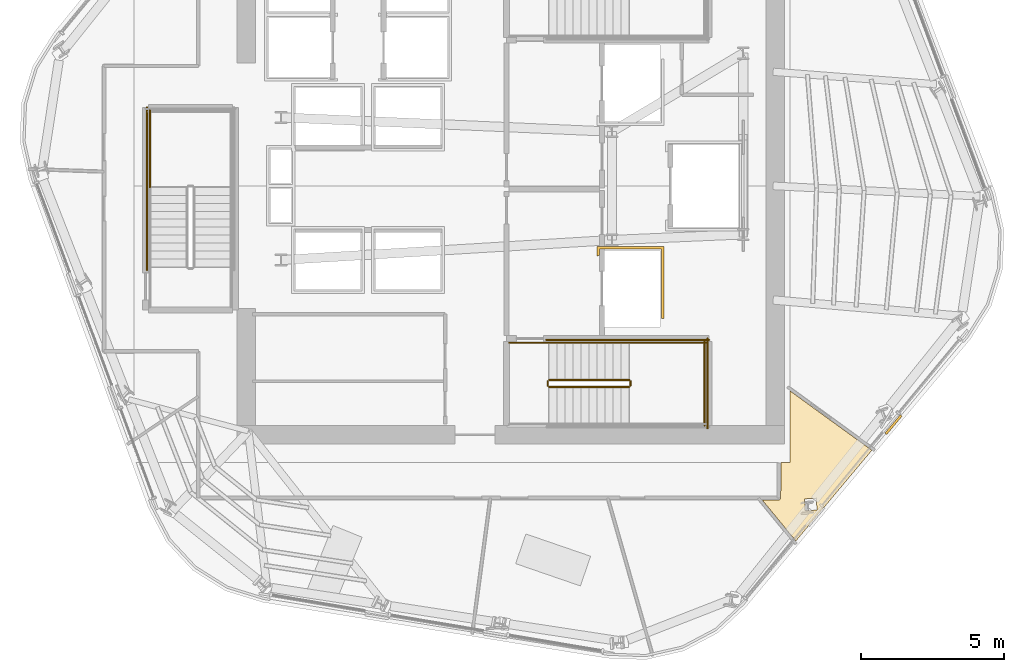
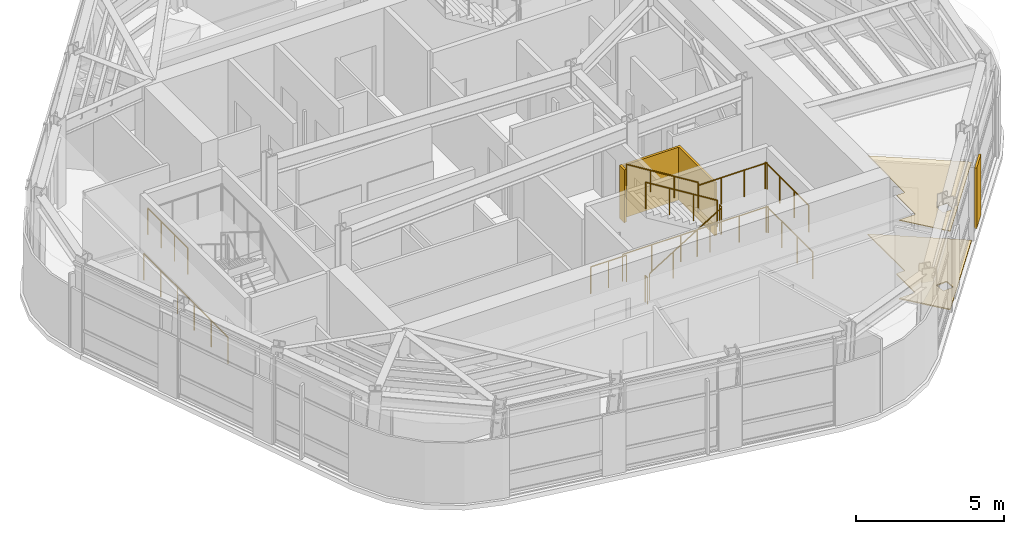
# One storey, part 9 of 12: 12 railings, 4 coverings.
"""IFC4 building model written with IfcOpenShell, lengths in metres."""

from ifc_helpers import new_model, si_unit, direction, frame, origin, origin_2d, place, context, subcontext, project, spatial, polyline, circle, outline, extrude, material, layer, layer_set, type_object, element, save


model = new_model("IFC4")

# Units and contexts
model_context = context("Model", 3, precision=1e-05, world=origin(), true_north=direction((0.0, 1.0)))
body_context = subcontext(model_context, "Body", "Model", "MODEL_VIEW")
ifc_project = project(units=[si_unit("LENGTHUNIT", "METRE"), si_unit("AREAUNIT", "SQUARE_METRE"), si_unit("VOLUMEUNIT", "CUBIC_METRE"), si_unit("PLANEANGLEUNIT", "RADIAN"), si_unit("MASSUNIT", "GRAM", prefix="KILO")], contexts=[model_context])

# Site, building, storey
site_placement = place(None, origin())
site = spatial("IfcSite", under=ifc_project, at=site_placement, CompositionType="ELEMENT")
building_placement = place(site_placement, origin())
building = spatial("IfcBuilding", under=site, at=building_placement, Name="Valkerne Bourse Tower", CompositionType="ELEMENT")
storey_placement = place(building_placement, frame((0.0, 0.0, 239.800048828125)))
storey = spatial("IfcBuildingStorey", under=building, at=storey_placement, Name="L61", CompositionType="ELEMENT", Elevation=239.800048828125)

# Coverings
ifc_material_1 = material(Name="Mineral Fiber Acoustic Ceiling Tile", Category="acoustic")
ifc_layer_1 = layer(ifc_material_1, 0.02490234375)
ifc_layer_set_1 = layer_set([ifc_layer_1], Name="Mineral Fiber Acoustic Ceiling Tile")
covering_type_1 = type_object("IfcCoveringType", Name="COV-CEIL-ACT", PredefinedType="CEILING", material=ifc_layer_set_1)
covering_1_placement = place(storey_placement, frame((0.0, 0.0, 3.25)))
element("IfcCovering", 1, at=covering_1_placement, inside=storey, type_object=covering_type_1, Name="L61 Suspended Ceiling 11", PredefinedType="CEILING", context=body_context, shape_type="SweptSolid", body=[
    extrude(outline(polyline([(56.20458984375, 15.9912109375), (56.24609375, 16.00830078125), (56.26708984375, 16.043701171875), (56.268798828125, 17.300048828125), (56.60009765625, 17.300048828125), (56.60009765625, 19.806884765625), (59.459716796875, 17.729248046875), (56.796875, 14.552978515625), (55.61572265625, 15.990966796875), (56.20458984375, 15.9912109375)]), holes=[polyline([(57.53857421875, 15.636474609375), (57.513916015625, 16.0498046875), (57.103271484375, 16.026123046875), (57.101806640625, 16.024658203125), (57.126220703125, 15.611328125), (57.537109375, 15.635009765625), (57.53857421875, 15.636474609375)])]), origin(), (0.0, 0.0, 1.0), 0.02490234375),
])
ifc_material_2 = material(Name="Bronze Anodised Aluminium AA 6063-T6", Category="aluminium")
ifc_layer_2 = layer(ifc_material_2, 0.06005859375)
ifc_layer_set_2 = layer_set([ifc_layer_2], Name="Bronze Anodised Aluminium AA 6063-T6")
covering_type_2 = type_object("IfcCoveringType", Name="COV-CRN-ALUM", PredefinedType="CLADDING", material=ifc_layer_set_2)
covering_2_placement = place(storey_placement, origin())
element("IfcCovering", 2, at=covering_2_placement, inside=storey, type_object=covering_type_2, Name="L61 Wind-Shaped Corner Aluminium Cladding 02", PredefinedType="CLADDING", context=body_context, shape_type="SweptSolid", body=[
    extrude(outline(polyline([(59.981689453125, 18.283203125), (59.920166015625, 18.334228515625), (60.4599609375, 18.977783203125), (60.521484375, 18.927001953125), (59.981689453125, 18.283203125)])), origin(), (0.0, 0.0, 1.0), 2.5),
])
ifc_material_3 = material(Name="Galvanised Painted Steel", Category="steel")
ifc_layer_3 = layer(ifc_material_3, 0.044921875)
ifc_layer_set_3 = layer_set([ifc_layer_3], Name="Galvanised Painted Steel")
covering_type_3 = type_object("IfcCoveringType", Name="COV-FLR-RAF", PredefinedType="FLOORING", material=ifc_layer_set_3)
covering_3_placement = place(storey_placement, origin())
element("IfcCovering", 3, at=covering_3_placement, inside=storey, type_object=covering_type_3, Name="L61 Floor Finish 11", PredefinedType="FLOORING", context=body_context, shape_type="SweptSolid", body=[
    extrude(outline(polyline([(56.20458984375, 15.9912109375), (56.24609375, 16.00830078125), (56.26708984375, 16.043701171875), (56.268798828125, 17.300048828125), (56.60009765625, 17.300048828125), (56.60009765625, 19.806884765625), (59.459716796875, 17.729248046875), (56.796875, 14.552978515625), (55.61572265625, 15.990966796875), (56.20458984375, 15.9912109375)]), holes=[polyline([(57.53857421875, 15.636474609375), (57.513916015625, 16.0498046875), (57.103271484375, 16.026123046875), (57.101806640625, 16.024658203125), (57.126220703125, 15.611328125), (57.537109375, 15.635009765625), (57.53857421875, 15.636474609375)])]), origin(), (0.0, 0.0, 1.0), 0.044921875),
])
ifc_material_4 = material(Name="Gypsum Shaftwall Liner Board", Category="gypsum")
ifc_layer_4 = layer(ifc_material_4, 0.080078125)
ifc_layer_set_4 = layer_set([ifc_layer_4], Name="Gypsum Shaftwall Liner Board")
covering_type_4 = type_object("IfcCoveringType", Name="COV-SHF-CLAD", PredefinedType="CLADDING", material=ifc_layer_set_4)
covering_4_placement = place(storey_placement, origin())
element("IfcCovering", 4, at=covering_4_placement, inside=storey, type_object=covering_type_4, Name="L61 Hoistway & Riser Shaftwall Liner 05", PredefinedType="CLADDING", context=body_context, shape_type="SweptSolid", body=[
    extrude(outline(polyline([(52.179931640625, 22.35009765625), (52.090087890625, 22.35009765625), (52.090087890625, 24.7900390625), (49.909912109375, 24.7900390625), (49.909912109375, 24.560791015625), (49.869384765625, 24.550537109375), (49.827880859375, 24.53564453125), (49.820068359375, 24.531982421875), (49.820068359375, 24.8798828125), (52.179931640625, 24.8798828125), (52.179931640625, 22.35009765625)])), origin(), (0.0, 0.0, 1.0), 2.179931640625),
])

# Railings
railing_type_1 = type_object("IfcRailingType", Name="RLG-ST-GUARD-1120", PredefinedType="GUARDRAIL", material=ifc_material_3)
railing_1_placement = place(storey_placement, frame((48.14990234375, 19.949951171875, 0.172607421875)))
element("IfcRailing", 5, at=railing_1_placement, inside=storey, type_object=railing_type_1, Name="L61 ST-1 stair guard 1", PredefinedType="GUARDRAIL", context=body_context, shape_type="SweptSolid", body=[
    extrude(circle(Radius=0.02392578125, at=origin_2d()), frame((0.0, 0.0, 1.09619140625), z_axis=(0.851089632645, 0.0, 0.525020415988), x_axis=(0.0, 1.0, 0.0)), (0.0, 0.0, 1.0), 3.2900390625),
    extrude(circle(Radius=0.02099609375, at=origin_2d()), origin(), (0.0, 0.0, 1.0), 1.072021484375),
    extrude(circle(Radius=0.02099609375, at=origin_2d()), frame((0.933349609375, 0.0, 0.57568359375)), (0.0, 0.0, 1.0), 1.072021484375),
    extrude(circle(Radius=0.02099609375, at=origin_2d()), frame((1.86669921875, 0.0, 1.151611328125)), (0.0, 0.0, 1.0), 1.072021484375),
    extrude(circle(Radius=0.02099609375, at=origin_2d()), frame((2.800048828125, 0.0, 1.727294921875)), (0.0, 0.0, 1.0), 1.072021484375),
])
railing_2_placement = place(storey_placement, frame((51.0, 20.0, 1.89990234375)))
element("IfcRailing", 6, at=railing_2_placement, inside=storey, type_object=railing_type_1, Name="L61 ST-1 stair guard 2", PredefinedType="GUARDRAIL", context=body_context, shape_type="SweptSolid", body=[
    extrude(circle(Radius=0.02392578125, at=origin_2d()), frame((0.0, 0.0, 1.09619140625), z_axis=(0.0, 1.0, 0.0), x_axis=(-1.0, 0.0, 0.0)), (0.0, 0.0, 1.0), 0.14990234375),
    extrude(circle(Radius=0.02099609375, at=origin_2d()), origin(), (0.0, 0.0, 1.0), 1.072021484375),
    extrude(circle(Radius=0.02099609375, at=origin_2d()), frame((0.0, 0.14990234375, 0.0)), (0.0, 0.0, 1.0), 1.072021484375),
])
railing_3_placement = place(storey_placement, frame((50.949951171875, 21.5, 1.89990234375)))
element("IfcRailing", 7, at=railing_3_placement, inside=storey, type_object=railing_type_1, Name="L61 ST-1 stair guard 4", PredefinedType="GUARDRAIL", context=body_context, shape_type="SweptSolid", body=[
    extrude(circle(Radius=0.02392578125, at=origin_2d()), frame((0.0, 0.0, 1.09619140625), z_axis=(1.0, 0.0, 0.0), x_axis=(0.0, 1.0, 0.0)), (0.0, 0.0, 1.0), 2.699951171875),
    extrude(circle(Radius=0.02099609375, at=origin_2d()), origin(), (0.0, 0.0, 1.0), 1.072021484375),
    extrude(circle(Radius=0.02099609375, at=origin_2d()), frame((0.89990234375, 0.0, 0.0)), (0.0, 0.0, 1.0), 1.072021484375),
    extrude(circle(Radius=0.02099609375, at=origin_2d()), frame((1.800048828125, 0.0, 0.0)), (0.0, 0.0, 1.0), 1.072021484375),
    extrude(circle(Radius=0.02099609375, at=origin_2d()), frame((2.699951171875, 0.0, 0.0)), (0.0, 0.0, 1.0), 1.072021484375),
])
railing_4_placement = place(storey_placement, frame((53.60009765625, 18.60009765625, 1.89990234375)))
element("IfcRailing", 8, at=railing_4_placement, inside=storey, type_object=railing_type_1, Name="L61 ST-1 stair guard 5", PredefinedType="GUARDRAIL", context=body_context, shape_type="SweptSolid", body=[
    extrude(circle(Radius=0.02392578125, at=origin_2d()), frame((0.0, 0.0, 1.09619140625), z_axis=(0.0, 1.0, 0.0), x_axis=(-1.0, 0.0, 0.0)), (0.0, 0.0, 1.0), 2.949951171875),
    extrude(circle(Radius=0.02099609375, at=origin_2d()), origin(), (0.0, 0.0, 1.0), 1.072021484375),
    extrude(circle(Radius=0.02099609375, at=origin_2d()), frame((0.0, 0.9833984375, 0.0)), (0.0, 0.0, 1.0), 1.072021484375),
    extrude(circle(Radius=0.02099609375, at=origin_2d()), frame((0.0, 1.966552734375, 0.0)), (0.0, 0.0, 1.0), 1.072021484375),
    extrude(circle(Radius=0.02099609375, at=origin_2d()), frame((0.0, 2.949951171875, 0.0)), (0.0, 0.0, 1.0), 1.072021484375),
])
railing_5_placement = place(storey_placement, frame((50.949951171875, 20.199951171875, 2.07275390625)))
element("IfcRailing", 9, at=railing_5_placement, inside=storey, type_object=railing_type_1, Name="L61 ST-1 stair guard 6", PredefinedType="GUARDRAIL", context=body_context, shape_type="SweptSolid", body=[
    extrude(circle(Radius=0.02392578125, at=origin_2d()), frame((0.0, 0.0, 1.09619140625), z_axis=(-0.851089632645, 0.0, 0.525020415988), x_axis=(0.0, -1.0, 0.0)), (0.0, 0.0, 1.0), 3.2900390625),
    extrude(circle(Radius=0.02099609375, at=origin_2d()), origin(), (0.0, 0.0, 1.0), 1.072021484375),
    extrude(circle(Radius=0.02099609375, at=origin_2d()), frame((-0.933349609375, 0.0, 0.57568359375)), (0.0, 0.0, 1.0), 1.072021484375),
    extrude(circle(Radius=0.02099609375, at=origin_2d()), frame((-1.86669921875, 0.0, 1.151611328125)), (0.0, 0.0, 1.0), 1.072021484375),
    extrude(circle(Radius=0.02099609375, at=origin_2d()), frame((-2.800048828125, 0.0, 1.727294921875)), (0.0, 0.0, 1.0), 1.072021484375),
])
railing_6_placement = place(storey_placement, frame((48.10009765625, 20.0, 0.0)))
element("IfcRailing", 10, at=railing_6_placement, inside=storey, type_object=railing_type_1, Name="L61 ST-1 stair guard 7", PredefinedType="GUARDRAIL", context=body_context, shape_type="SweptSolid", body=[
    extrude(circle(Radius=0.02392578125, at=origin_2d()), frame((0.0, 0.0, 1.09619140625), z_axis=(0.0, 1.0, 0.0), x_axis=(-1.0, 0.0, 0.0)), (0.0, 0.0, 1.0), 0.14990234375),
    extrude(circle(Radius=0.02099609375, at=origin_2d()), origin(), (0.0, 0.0, 1.0), 1.072021484375),
    extrude(circle(Radius=0.02099609375, at=origin_2d()), frame((0.0, 0.14990234375, 0.0)), (0.0, 0.0, 1.0), 1.072021484375),
])
railing_7_placement = place(storey_placement, frame((46.75, 21.5, 0.0)))
element("IfcRailing", 11, at=railing_7_placement, inside=storey, type_object=railing_type_1, Name="L61 ST-1 stair guard 9", PredefinedType="GUARDRAIL", context=body_context, shape_type="SweptSolid", body=[
    extrude(circle(Radius=0.02392578125, at=origin_2d()), frame((0.0, 0.0, 1.09619140625), z_axis=(1.0, 0.0, 0.0), x_axis=(0.0, 1.0, 0.0)), (0.0, 0.0, 1.0), 1.39990234375),
    extrude(circle(Radius=0.02099609375, at=origin_2d()), origin(), (0.0, 0.0, 1.0), 1.072021484375),
    extrude(circle(Radius=0.02099609375, at=origin_2d()), frame((0.699951171875, 0.0, 0.0)), (0.0, 0.0, 1.0), 1.072021484375),
    extrude(circle(Radius=0.02099609375, at=origin_2d()), frame((1.39990234375, 0.0, 0.0)), (0.0, 0.0, 1.0), 1.072021484375),
])
railing_8_placement = place(storey_placement, frame((48.050048828125, 21.60009765625, 0.0)))
element("IfcRailing", 12, at=railing_8_placement, inside=storey, type_object=railing_type_1, Name="L61 ST-1 stair guard 11", PredefinedType="GUARDRAIL", context=body_context, shape_type="SweptSolid", body=[
    extrude(circle(Radius=0.02392578125, at=origin_2d()), frame((0.0, 0.0, 1.09619140625), z_axis=(1.0, 0.0, 0.0), x_axis=(0.0, 1.0, 0.0)), (0.0, 0.0, 1.0), 5.699951171875),
    extrude(circle(Radius=0.02099609375, at=origin_2d()), origin(), (0.0, 0.0, 1.0), 1.072021484375),
    extrude(circle(Radius=0.02099609375, at=origin_2d()), frame((1.139892578125, 0.0, 0.0)), (0.0, 0.0, 1.0), 1.072021484375),
    extrude(circle(Radius=0.02099609375, at=origin_2d()), frame((2.280029296875, 0.0, 0.0)), (0.0, 0.0, 1.0), 1.072021484375),
    extrude(circle(Radius=0.02099609375, at=origin_2d()), frame((3.419921875, 0.0, 0.0)), (0.0, 0.0, 1.0), 1.072021484375),
    extrude(circle(Radius=0.02099609375, at=origin_2d()), frame((4.56005859375, 0.0, 0.0)), (0.0, 0.0, 1.0), 1.072021484375),
    extrude(circle(Radius=0.02099609375, at=origin_2d()), frame((5.699951171875, 0.0, 0.0)), (0.0, 0.0, 1.0), 1.072021484375),
])
railing_9_placement = place(storey_placement, frame((53.699951171875, 18.5, 0.0)))
element("IfcRailing", 13, at=railing_9_placement, inside=storey, type_object=railing_type_1, Name="L61 ST-1 stair guard 12", PredefinedType="GUARDRAIL", context=body_context, shape_type="SweptSolid", body=[
    extrude(circle(Radius=0.02392578125, at=origin_2d()), frame((0.0, 0.0, 1.09619140625), z_axis=(0.0, 1.0, 0.0), x_axis=(-1.0, 0.0, 0.0)), (0.0, 0.0, 1.0), 3.14990234375),
    extrude(circle(Radius=0.02099609375, at=origin_2d()), origin(), (0.0, 0.0, 1.0), 1.072021484375),
    extrude(circle(Radius=0.02099609375, at=origin_2d()), frame((0.0, 1.050048828125, 0.0)), (0.0, 0.0, 1.0), 1.072021484375),
    extrude(circle(Radius=0.02099609375, at=origin_2d()), frame((0.0, 2.099853515625, 0.0)), (0.0, 0.0, 1.0), 1.072021484375),
    extrude(circle(Radius=0.02099609375, at=origin_2d()), frame((0.0, 3.14990234375, 0.0)), (0.0, 0.0, 1.0), 1.072021484375),
])
railing_10_placement = place(storey_placement, frame((34.14990234375, 26.949951171875, 1.89990234375)))
element("IfcRailing", 14, at=railing_10_placement, inside=storey, type_object=railing_type_1, Name="L61 ST-3 stair guard 4", PredefinedType="GUARDRAIL", context=body_context, shape_type="SweptSolid", body=[
    extrude(circle(Radius=0.02392578125, at=origin_2d()), frame((0.0, 0.0, 1.09619140625), z_axis=(0.0, 1.0, 0.0), x_axis=(-1.0, 0.0, 0.0)), (0.0, 0.0, 1.0), 2.699951171875),
    extrude(circle(Radius=0.02099609375, at=origin_2d()), origin(), (0.0, 0.0, 1.0), 1.072021484375),
    extrude(circle(Radius=0.02099609375, at=origin_2d()), frame((0.0, 0.89990234375, 0.0)), (0.0, 0.0, 1.0), 1.072021484375),
    extrude(circle(Radius=0.02099609375, at=origin_2d()), frame((0.0, 1.800048828125, 0.0)), (0.0, 0.0, 1.0), 1.072021484375),
    extrude(circle(Radius=0.02099609375, at=origin_2d()), frame((0.0, 2.699951171875, 0.0)), (0.0, 0.0, 1.0), 1.072021484375),
])
railing_11_placement = place(storey_placement, frame((34.050048828125, 24.050048828125, 0.0)))
element("IfcRailing", 15, at=railing_11_placement, inside=storey, type_object=railing_type_1, Name="L61 ST-3 stair guard 11", PredefinedType="GUARDRAIL", context=body_context, shape_type="SweptSolid", body=[
    extrude(circle(Radius=0.02392578125, at=origin_2d()), frame((0.0, 0.0, 1.09619140625), z_axis=(0.0, 1.0, 0.0), x_axis=(-1.0, 0.0, 0.0)), (0.0, 0.0, 1.0), 5.699951171875),
    extrude(circle(Radius=0.02099609375, at=origin_2d()), origin(), (0.0, 0.0, 1.0), 1.072021484375),
    extrude(circle(Radius=0.02099609375, at=origin_2d()), frame((0.0, 1.139892578125, 0.0)), (0.0, 0.0, 1.0), 1.072021484375),
    extrude(circle(Radius=0.02099609375, at=origin_2d()), frame((0.0, 2.280029296875, 0.0)), (0.0, 0.0, 1.0), 1.072021484375),
    extrude(circle(Radius=0.02099609375, at=origin_2d()), frame((0.0, 3.419921875, 0.0)), (0.0, 0.0, 1.0), 1.072021484375),
    extrude(circle(Radius=0.02099609375, at=origin_2d()), frame((0.0, 4.56005859375, 0.0)), (0.0, 0.0, 1.0), 1.072021484375),
    extrude(circle(Radius=0.02099609375, at=origin_2d()), frame((0.0, 5.699951171875, 0.0)), (0.0, 0.0, 1.0), 1.072021484375),
])
ifc_material_5 = material(Name="Stainless Steel AISI 316", Category="steel")
railing_type_2 = type_object("IfcRailingType", Name="RLG-ST-HANDRAIL-900", PredefinedType="HANDRAIL", material=ifc_material_5)
railing_12_placement = place(storey_placement, frame((50.949951171875, 21.5, 2.245361328125)))
element("IfcRailing", 16, at=railing_12_placement, inside=storey, type_object=railing_type_2, Name="L61 ST-1 stair handrail 2", PredefinedType="HANDRAIL", context=body_context, shape_type="SweptSolid", body=[
    extrude(circle(Radius=0.02392578125, at=origin_2d()), frame((0.0, 0.0, 0.8759765625), z_axis=(-0.851089632645, 0.0, 0.525020415988), x_axis=(0.0, -1.0, 0.0)), (0.0, 0.0, 1.0), 3.2900390625),
    extrude(circle(Radius=0.02099609375, at=origin_2d()), origin(), (0.0, 0.0, 1.0), 0.851806640625),
    extrude(circle(Radius=0.02099609375, at=origin_2d()), frame((-0.933349609375, 0.0, 0.57568359375)), (0.0, 0.0, 1.0), 0.851806640625),
    extrude(circle(Radius=0.02099609375, at=origin_2d()), frame((-1.86669921875, 0.0, 1.151611328125)), (0.0, 0.0, 1.0), 0.851806640625),
    extrude(circle(Radius=0.02099609375, at=origin_2d()), frame((-2.800048828125, 0.0, 1.727294921875)), (0.0, 0.0, 1.0), 0.851806640625),
])

save(model, "model.ifc")
